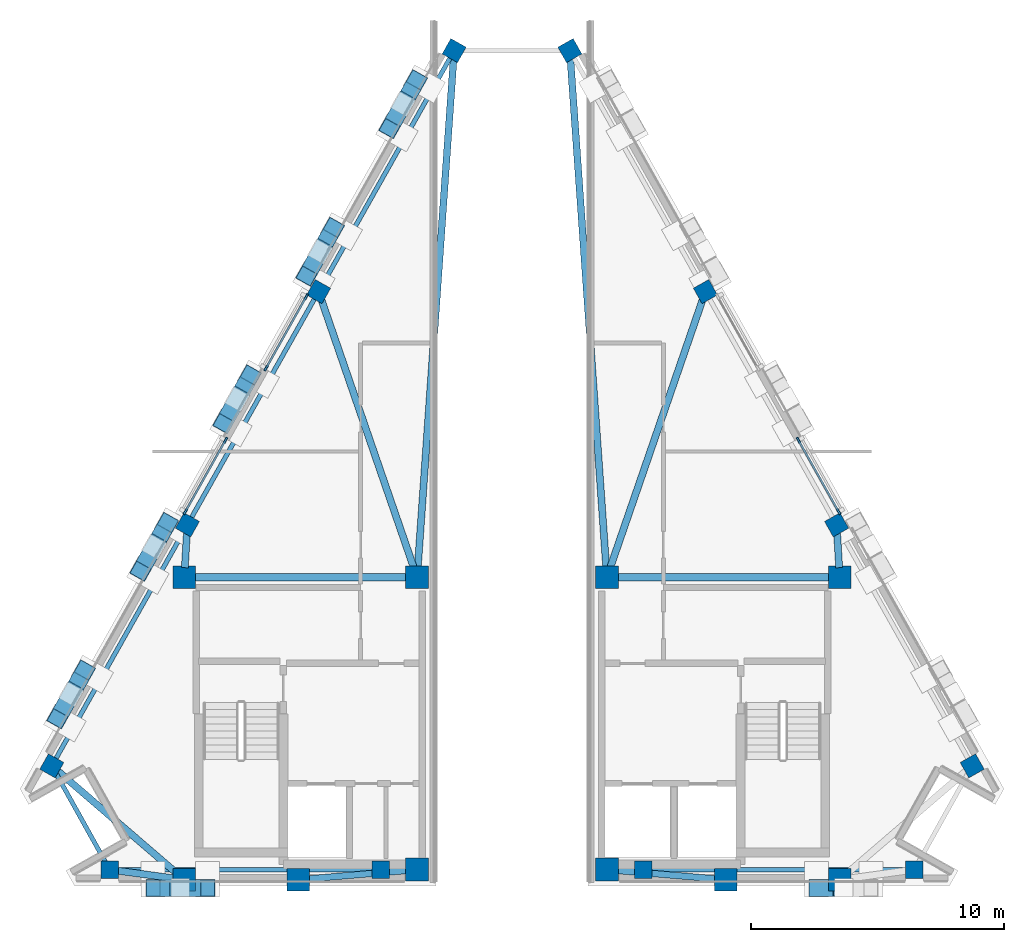
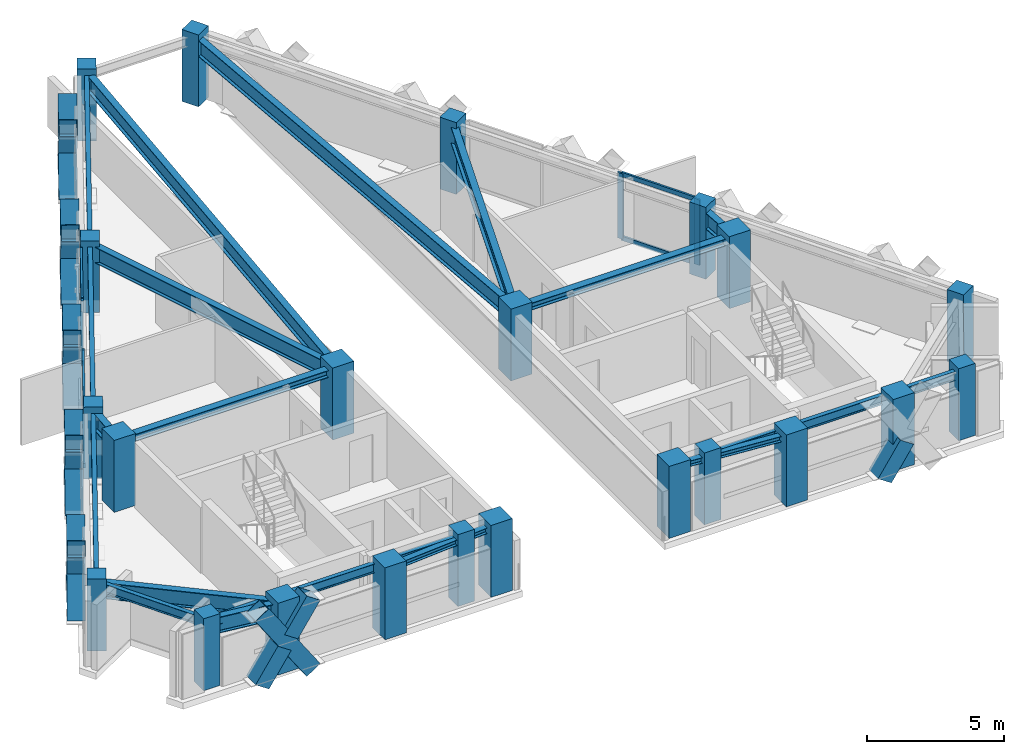
# One storey, part 1 of 7: 31 members, 22 columns, 18 beams, 3 elements without a shape of their own.
"""IFC4 building model written with IfcOpenShell, lengths in metres."""

from ifc_helpers import new_model, si_unit, direction, frame, origin, origin_2d, place, context, subcontext, project, spatial, rectangle, hollow_rectangle, i_section, extrude, material, material_profile, profile_set, type_object, element, aggregate, save


model = new_model("IFC4")

# Units and contexts
model_context = context("Model", 3, precision=1e-05, world=origin(), true_north=direction((0.0, 1.0)))
body_context = subcontext(model_context, "Body", "Model", "MODEL_VIEW")
ifc_project = project(units=[si_unit("LENGTHUNIT", "METRE"), si_unit("AREAUNIT", "SQUARE_METRE"), si_unit("VOLUMEUNIT", "CUBIC_METRE"), si_unit("PLANEANGLEUNIT", "RADIAN"), si_unit("MASSUNIT", "GRAM", prefix="KILO")], contexts=[model_context])

# Site, building, storey
site_placement = place(None, origin())
site = spatial("IfcSite", under=ifc_project, at=site_placement, CompositionType="ELEMENT")
building_placement = place(site_placement, origin())
building = spatial("IfcBuilding", under=site, at=building_placement, Name="Quenlor Broadcast Tower", CompositionType="ELEMENT")
storey_placement = place(building_placement, frame((0.0, 0.0, 274.10009765625)))
storey = spatial("IfcBuildingStorey", under=building, at=storey_placement, Name="L76", CompositionType="ELEMENT", Elevation=274.10009765625)

# Columns
ifc_material_1 = material(Name="Concrete C50/60", Category="concrete")
ifc_material_profile_1 = material_profile(ifc_material_1, rectangle(XDim=0.89990234375, YDim=0.89990234375, at=origin_2d()))
ifc_profile_set_1 = profile_set([ifc_material_profile_1], Name="Concrete C50/60 RC900x900")
column_type_1 = type_object("IfcColumnType", Name="Core Corner Column Upper Concrete C50/60 900", PredefinedType="COLUMN", material=ifc_profile_set_1)
for number, where, z_axis, x_axis, name in (
    (1, (-12.949951171875, -16.75, 0.0), (0.0, 0.0, 1.0), (1.0, 0.0, 0.0), "L76 Core Column CC1"),
    (2, (-8.449951171875, -16.75, 0.0), (0.0, 0.0, 1.0), (1.0, 0.0, 0.0), "L76 Core Column CC2"),
    (3, (-3.75, -16.35009765625, 0.0), (0.0, 0.0, 1.0), (1.0, 0.0, 0.0), "L76 Core Column CC3"),
    (4, (3.75, -16.35009765625, 0.0), (0.0, 0.0, 1.0), (1.0, 0.0, 0.0), "L76 Core Column CC4"),
    (5, (8.449951171875, -16.75, 0.0), (0.0, 0.0, 1.0), (1.0, 0.0, 0.0), "L76 Core Column CC5"),
    (6, (12.949951171875, -16.75, 0.0), (0.0, 0.0, 1.0), (1.0, 0.0, 0.0), "L76 Core Column CC6"),
    (7, (-12.949951171875, -4.800048828125, 0.0), (0.0, 0.0, 1.0), (1.0, 0.0, 0.0), "L76 Core Column CC7"),
    (8, (-3.75, -4.800048828125, 0.0), (0.0, 0.0, 1.0), (1.0, 0.0, 0.0), "L76 Core Column CC8"),
    (9, (3.75, -4.800048828125, 0.0), (0.0, 0.0, 1.0), (1.0, 0.0, 0.0), "L76 Core Column CC9"),
    (10, (12.949951171875, -4.800048828125, 0.0), (0.0, 0.0, 1.0), (1.0, 0.0, 0.0), "L76 Core Column CC10"),
):
    element("IfcColumn", number, at=place(storey_placement, frame(where, z_axis=z_axis, x_axis=x_axis)), inside=storey, type_object=column_type_1, Name=name, PredefinedType="COLUMN", context=body_context, shape_type="SweptSolid", body=[
        extrude(rectangle(XDim=0.89990234375, YDim=0.89990234375, at=origin_2d()), origin(), (0.0, 0.0, 1.0), 3.199951171875),
    ])
ifc_material_2 = material(Name="Concrete C40/50", Category="concrete")
ifc_material_profile_2 = material_profile(ifc_material_2, rectangle(XDim=0.699951171875, YDim=0.699951171875, at=origin_2d()))
ifc_profile_set_2 = profile_set([ifc_material_profile_2], Name="Concrete C40/50 RC700x700")
column_type_2 = type_object("IfcColumnType", Name="Crown Frame Column Concrete C40/50 700", PredefinedType="COLUMN", material=ifc_profile_set_2)
for number, where, z_axis, x_axis, name in (
    (11, (-15.897705078125, -16.35009765625, 0.0), (0.0, 0.0, 1.0), (0.0, 1.0, 0.0), "L76 Perimeter Column S1"),
    (12, (-5.18408203125, -16.35009765625, 0.0), (0.0, 0.0, 1.0), (0.0, 1.0, 0.0), "L76 Perimeter Column S2"),
    (13, (5.18408203125, -16.35009765625, 0.0), (0.0, 0.0, 1.0), (0.0, 1.0, 0.0), "L76 Perimeter Column S3"),
    (14, (15.897705078125, -16.35009765625, 0.0), (0.0, 0.0, 1.0), (0.0, 1.0, 0.0), "L76 Perimeter Column S4"),
    (15, (18.182373046875, -12.25, 0.0), (0.0, 0.0, 1.0), (0.871575139605, 0.490261946333, 0.0), "L76 Perimeter Column NE1"),
    (16, (12.825439453125, -2.726806640625, 0.0), (0.0, 0.0, 1.0), (0.871575139605, 0.490261946333, 0.0), "L76 Perimeter Column NE2"),
    (17, (7.6416015625, 6.4892578125, 0.0), (0.0, 0.0, 1.0), (0.871575139605, 0.490261946333, 0.0), "L76 Perimeter Column NE3"),
    (18, (2.28466796875, 16.012451171875, 0.0), (0.0, 0.0, 1.0), (0.871575139605, 0.490261946333, 0.0), "L76 Perimeter Column NE4"),
    (19, (-2.28466796875, 16.012451171875, 0.0), (0.0, 0.0, 1.0), (-0.871575139605, 0.490261946333, 0.0), "L76 Perimeter Column NW1"),
    (20, (-7.6416015625, 6.4892578125, 0.0), (0.0, 0.0, 1.0), (-0.871575139605, 0.490261946333, 0.0), "L76 Perimeter Column NW2"),
    (21, (-12.825439453125, -2.726806640625, 0.0), (0.0, 0.0, 1.0), (-0.871575139605, 0.490261946333, 0.0), "L76 Perimeter Column NW3"),
    (22, (-18.182373046875, -12.25, 0.0), (0.0, 0.0, 1.0), (-0.871575139605, 0.490261946333, 0.0), "L76 Perimeter Column NW4"),
):
    element("IfcColumn", number, at=place(storey_placement, frame(where, z_axis=z_axis, x_axis=x_axis)), inside=storey, type_object=column_type_2, Name=name, PredefinedType="COLUMN", context=body_context, shape_type="SweptSolid", body=[
        extrude(rectangle(XDim=0.699951171875, YDim=0.699951171875, at=origin_2d()), origin(), (0.0, 0.0, 1.0), 3.199951171875),
    ])

# Curtain wall, members
ifc_material_3 = material(Name="Architectural Terracotta and Low-E Glazing", Category="masonry")
curtain_wall_type = type_object("IfcCurtainWallType", Name="Station Concourse and Crown Terracotta Curtain Wall", PredefinedType="NOTDEFINED", material=ifc_material_3)
curtain_wall_1_placement = place(storey_placement, origin())
curtain_wall_1 = element("IfcCurtainWall", 23, at=curtain_wall_1_placement, inside=storey, type_object=curtain_wall_type, Name="L76 Curtain Wall CW6 (L76-NE-G2)", PredefinedType="NOTDEFINED")
ifc_material_4 = material(Name="Aluminium 6063-T6", Category="aluminium")
ifc_material_profile_3 = material_profile(ifc_material_4, rectangle(XDim=0.08203125, YDim=0.239990234375, at=origin_2d()))
ifc_profile_set_3 = profile_set([ifc_material_profile_3], Name="Aluminium 6063-T6 MULL82x240")
member_type_1 = type_object("IfcMemberType", Name="CW6 Aluminium Mullion MULL_CW6", PredefinedType="MULLION", material=ifc_profile_set_3)
member_1_placement = place(storey_placement, frame((11.31640625, 0.618896484375, 0.0), z_axis=(0.0, 0.0, 1.0), x_axis=(0.871571523235, 0.490268375367, 0.0)))
member_1 = element("IfcMember", 24, at=member_1_placement, type_object=member_type_1, Name="CW6 mullion 1", PredefinedType="MULLION", context=body_context, shape_type="SweptSolid", body=[
    extrude(rectangle(XDim=0.08203125, YDim=0.239990234375, at=origin_2d()), origin(), (0.0, 0.0, 1.0), 2.919921875),
])
member_2_placement = place(storey_placement, frame((12.9072265625, -2.208984375, 0.0), z_axis=(0.0, 0.0, 1.0), x_axis=(0.871571523235, 0.490268375367, 0.0)))
member_2 = element("IfcMember", 25, at=member_2_placement, type_object=member_type_1, Name="CW6 mullion 2", PredefinedType="MULLION", context=body_context, shape_type="SweptSolid", body=[
    extrude(rectangle(XDim=0.08203125, YDim=0.239990234375, at=origin_2d()), origin(), (0.0, 0.0, 1.0), 2.919921875),
])

curtain_wall_2_placement = place(storey_placement, origin())
curtain_wall_2 = element("IfcCurtainWall", 26, at=curtain_wall_2_placement, inside=storey, type_object=curtain_wall_type, Name="L76 Curtain Wall CW6 (L76-NW-G1)", PredefinedType="NOTDEFINED")
member_3_placement = place(storey_placement, frame((-12.9072265625, -2.208984375, 0.0), z_axis=(0.0, 0.0, 1.0), x_axis=(-0.871571523235, 0.490268375367, 0.0)))
member_3 = element("IfcMember", 27, at=member_3_placement, type_object=member_type_1, Name="CW6 mullion 1", PredefinedType="MULLION", context=body_context, shape_type="SweptSolid", body=[
    extrude(rectangle(XDim=0.08203125, YDim=0.239990234375, at=origin_2d()), origin(), (0.0, 0.0, 1.0), 2.919921875),
])
member_4_placement = place(storey_placement, frame((-11.31640625, 0.618896484375, 0.0), z_axis=(0.0, 0.0, 1.0), x_axis=(-0.871571523235, 0.490268375367, 0.0)))
member_4 = element("IfcMember", 28, at=member_4_placement, type_object=member_type_1, Name="CW6 mullion 2", PredefinedType="MULLION", context=body_context, shape_type="SweptSolid", body=[
    extrude(rectangle(XDim=0.08203125, YDim=0.239990234375, at=origin_2d()), origin(), (0.0, 0.0, 1.0), 2.919921875),
])

curtain_wall_3_placement = place(storey_placement, origin())
curtain_wall_3 = element("IfcCurtainWall", 29, at=curtain_wall_3_placement, inside=storey, type_object=curtain_wall_type, Name="L76 Curtain Wall CW6 (L76-NW-G2)", PredefinedType="NOTDEFINED")
member_5_placement = place(storey_placement, frame((-9.717041015625, 3.46240234375, 0.0), z_axis=(0.0, 0.0, 1.0), x_axis=(-0.871571523235, 0.490268375367, 0.0)))
member_5 = element("IfcMember", 30, at=member_5_placement, type_object=member_type_1, Name="CW6 mullion 1", PredefinedType="MULLION", context=body_context, shape_type="SweptSolid", body=[
    extrude(rectangle(XDim=0.08203125, YDim=0.239990234375, at=origin_2d()), origin(), (0.0, 0.0, 1.0), 2.919921875),
])
member_6_placement = place(storey_placement, frame((-8.126220703125, 6.29052734375, 0.0), z_axis=(0.0, 0.0, 1.0), x_axis=(-0.871571523235, 0.490268375367, 0.0)))
member_6 = element("IfcMember", 31, at=member_6_placement, type_object=member_type_1, Name="CW6 mullion 2", PredefinedType="MULLION", context=body_context, shape_type="SweptSolid", body=[
    extrude(rectangle(XDim=0.08203125, YDim=0.239990234375, at=origin_2d()), origin(), (0.0, 0.0, 1.0), 2.919921875),
])

# Member
ifc_material_5 = material(Name="Aluminium 6063-T6", Category="aluminium")
ifc_material_profile_4 = material_profile(ifc_material_5, rectangle(XDim=0.08203125, YDim=0.195068359375, at=origin_2d()))
ifc_profile_set_4 = profile_set([ifc_material_profile_4], Name="Aluminium 6063-T6 TRAN82x195")
member_type_2 = type_object("IfcMemberType", Name="CW6 Aluminium Transom TRAN_CW6", PredefinedType="USERDEFINED", material=ifc_profile_set_4)
member_7_placement = place(storey_placement, frame((11.33642578125, 0.583251953125, 0.041015625), z_axis=(0.490308881198, -0.87154873703, 0.0), x_axis=(0.87154873703, 0.490308881198, 0.0)))
member_7 = element("IfcMember", 32, at=member_7_placement, type_object=member_type_2, Name="CW6 transom 1.1", ObjectType="TRANSOM", PredefinedType="USERDEFINED", context=body_context, shape_type="SweptSolid", body=[
    extrude(rectangle(XDim=0.08203125, YDim=0.195068359375, at=origin_2d()), origin(), (0.0, 0.0, 1.0), 3.162841796875),
])

member_8_placement = place(storey_placement, frame((11.33642578125, 0.583251953125, 2.87890625), z_axis=(0.490308881198, -0.87154873703, 0.0), x_axis=(0.87154873703, 0.490308881198, 0.0)))
member_8 = element("IfcMember", 33, at=member_8_placement, type_object=member_type_2, Name="CW6 transom 1.2", ObjectType="TRANSOM", PredefinedType="USERDEFINED", context=body_context, shape_type="SweptSolid", body=[
    extrude(rectangle(XDim=0.08203125, YDim=0.195068359375, at=origin_2d()), origin(), (0.0, 0.0, 1.0), 3.162841796875),
])

aggregate(curtain_wall_1, [member_1, member_2, member_7, member_8])

member_9_placement = place(storey_placement, frame((-12.88720703125, -2.17333984375, 0.041015625), z_axis=(0.490308881198, 0.87154873703, 0.0), x_axis=(-0.87154873703, 0.490308881198, 0.0)))
member_9 = element("IfcMember", 34, at=member_9_placement, type_object=member_type_2, Name="CW6 transom 1.1", ObjectType="TRANSOM", PredefinedType="USERDEFINED", context=body_context, shape_type="SweptSolid", body=[
    extrude(rectangle(XDim=0.08203125, YDim=0.195068359375, at=origin_2d()), origin(), (0.0, 0.0, 1.0), 3.162841796875),
])

member_10_placement = place(storey_placement, frame((-12.88720703125, -2.17333984375, 2.87890625), z_axis=(0.490308881198, 0.87154873703, 0.0), x_axis=(-0.87154873703, 0.490308881198, 0.0)))
member_10 = element("IfcMember", 35, at=member_10_placement, type_object=member_type_2, Name="CW6 transom 1.2", ObjectType="TRANSOM", PredefinedType="USERDEFINED", context=body_context, shape_type="SweptSolid", body=[
    extrude(rectangle(XDim=0.08203125, YDim=0.195068359375, at=origin_2d()), origin(), (0.0, 0.0, 1.0), 3.162841796875),
])

aggregate(curtain_wall_2, [member_3, member_4, member_9, member_10])

member_11_placement = place(storey_placement, frame((-9.69677734375, 3.498046875, 0.041015625), z_axis=(0.490250244801, 0.871581721626, 0.0), x_axis=(-0.871581721626, 0.490250244801, 0.0)))
member_11 = element("IfcMember", 36, at=member_11_placement, type_object=member_type_2, Name="CW6 transom 1.1", ObjectType="TRANSOM", PredefinedType="USERDEFINED", context=body_context, shape_type="SweptSolid", body=[
    extrude(rectangle(XDim=0.08203125, YDim=0.195068359375, at=origin_2d()), origin(), (0.0, 0.0, 1.0), 3.162841796875),
])

member_12_placement = place(storey_placement, frame((-9.69677734375, 3.498046875, 2.87890625), z_axis=(0.490250244801, 0.871581721626, 0.0), x_axis=(-0.871581721626, 0.490250244801, 0.0)))
member_12 = element("IfcMember", 37, at=member_12_placement, type_object=member_type_2, Name="CW6 transom 1.2", ObjectType="TRANSOM", PredefinedType="USERDEFINED", context=body_context, shape_type="SweptSolid", body=[
    extrude(rectangle(XDim=0.08203125, YDim=0.195068359375, at=origin_2d()), origin(), (0.0, 0.0, 1.0), 3.162841796875),
])

aggregate(curtain_wall_3, [member_5, member_6, member_11, member_12])

# Beams
ifc_material_6 = material(Name="Steel S355", Category="steel")
ifc_material_profile_5 = material_profile(ifc_material_6, i_section(OverallWidth=0.25390625, OverallDepth=0.25390625, WebThickness=0.008544921875, FlangeThickness=0.01416015625, FilletRadius=0.013916015625, at=origin_2d()))
ifc_profile_set_5 = profile_set([ifc_material_profile_5], Name="Steel S355 250UC72.9")
beam_type_1 = type_object("IfcBeamType", Name="Core Opening Lintel Beam Steel S355 250UC72.9", PredefinedType="LINTEL", material=ifc_profile_set_5)
for number, where, z_axis, x_axis, name in (
    (38, (-8.09130859375, -16.719482421875, 2.79296875), (0.996399763903, 0.084779186679, 0.0), (-0.084779186679, 0.996399763903, 0.0), "L76 Core Opening Lintel Beam 4"),
    (39, (4.108642578125, -16.380615234375, 2.79296875), (0.996399763903, -0.084779186679, 0.0), (0.084779186679, 0.996399763903, 0.0), "L76 Core Opening Lintel Beam 5"),
):
    element("IfcBeam", number, at=place(storey_placement, frame(where, z_axis=z_axis, x_axis=x_axis)), inside=storey, type_object=beam_type_1, Name=name, PredefinedType="LINTEL", context=body_context, shape_type="SweptSolid", body=[
        extrude(i_section(OverallWidth=0.25390625, OverallDepth=0.25390625, WebThickness=0.008544921875, FlangeThickness=0.01416015625, FilletRadius=0.013916015625, at=origin_2d()), origin(), (0.0, 0.0, 1.0), 3.9970703125),
    ])
ifc_material_7 = material(Name="Steel S355", Category="steel")
ifc_material_profile_6 = material_profile(ifc_material_7, i_section(OverallWidth=0.306884765625, OverallDepth=0.314697265625, WebThickness=0.011962890625, FlangeThickness=0.018798828125, FilletRadius=0.0166015625, at=origin_2d()))
ifc_profile_set_6 = profile_set([ifc_material_profile_6], Name="Steel S355 310UC118")
beam_type_2 = type_object("IfcBeamType", Name="Core Tie Beam Steel S355 310UC118", PredefinedType="BEAM", material=ifc_profile_set_6)
for number, where, z_axis, x_axis, name in (
    (40, (-12.590087890625, -4.800048828125, 2.7626953125), (1.0, 0.0, 0.0), (0.0, 1.0, 0.0), "L76 Core Tie Beam 1"),
    (41, (4.110107421875, -4.800048828125, 2.7626953125), (1.0, 0.0, 0.0), (0.0, 1.0, 0.0), "L76 Core Tie Beam 3"),
):
    element("IfcBeam", number, at=place(storey_placement, frame(where, z_axis=z_axis, x_axis=x_axis)), inside=storey, type_object=beam_type_2, Name=name, PredefinedType="BEAM", context=body_context, shape_type="SweptSolid", body=[
        extrude(i_section(OverallWidth=0.306884765625, OverallDepth=0.314697265625, WebThickness=0.011962890625, FlangeThickness=0.018798828125, FilletRadius=0.0166015625, at=origin_2d()), origin(), (0.0, 0.0, 1.0), 8.47998046875),
    ])
ifc_material_8 = material(Name="Steel S355", Category="steel")
ifc_material_profile_7 = material_profile(ifc_material_8, i_section(OverallWidth=0.27490234375, OverallDepth=0.716064453125, WebThickness=0.013916015625, FlangeThickness=0.02490234375, FilletRadius=0.013916015625, at=origin_2d()))
ifc_profile_set_7 = profile_set([ifc_material_profile_7], Name="Steel S355 700WB173")
beam_type_3 = type_object("IfcBeamType", Name="Crown Plant Ring Girder Steel S355 700WB173", PredefinedType="BEAM", material=ifc_profile_set_7)
beam_1_placement = place(storey_placement, frame((-15.59033203125, -16.3916015625, 2.56201171875), z_axis=(0.990908681621, -0.134536183561, 0.0), x_axis=(0.134536183561, 0.990908681621, 0.0)))
element("IfcBeam", 42, at=beam_1_placement, inside=storey, type_object=beam_type_3, Name="L76 Primary Radial Beam S1", PredefinedType="BEAM", context=body_context, shape_type="SweptSolid", body=[
    extrude(i_section(OverallWidth=0.27490234375, OverallDepth=0.716064453125, WebThickness=0.013916015625, FlangeThickness=0.02490234375, FilletRadius=0.013916015625, at=origin_2d()), origin(), (0.0, 0.0, 1.0), 2.28466796875),
])
beam_2_placement = place(storey_placement, frame((12.843994140625, -3.0361328125, 2.56201171875), z_axis=(0.060022076178, -0.998197049871, 0.0), x_axis=(0.998197049871, 0.060022076178, 0.0)))
element("IfcBeam", 43, at=beam_2_placement, inside=storey, type_object=beam_type_3, Name="L76 Primary Radial Beam NE2", PredefinedType="BEAM", context=body_context, shape_type="SweptSolid", body=[
    extrude(i_section(OverallWidth=0.27490234375, OverallDepth=0.716064453125, WebThickness=0.013916015625, FlangeThickness=0.02490234375, FilletRadius=0.013916015625, at=origin_2d()), origin(), (0.0, 0.0, 1.0), 1.386962890625),
])
beam_3_placement = place(storey_placement, frame((7.54052734375, 6.1962890625, 2.56201171875), z_axis=(-0.325897728726, -0.945405029821, 0.0), x_axis=(0.945405029821, -0.325897728726, 0.0)))
element("IfcBeam", 44, at=beam_3_placement, inside=storey, type_object=beam_type_3, Name="L76 Primary Radial Beam NE3", PredefinedType="BEAM", context=body_context, shape_type="SweptSolid", body=[
    extrude(i_section(OverallWidth=0.27490234375, OverallDepth=0.716064453125, WebThickness=0.013916015625, FlangeThickness=0.02490234375, FilletRadius=0.013916015625, at=origin_2d()), origin(), (0.0, 0.0, 1.0), 11.251220703125),
])
for number, where, z_axis, x_axis, name in (
    (45, (2.306396484375, 15.703369140625, 2.56201171875), (0.070238211714, -0.997530246968, 0.0), (0.997530246968, 0.070238211714, 0.0), "L76 Primary Radial Beam NE4"),
    (46, (-2.306396484375, 15.703369140625, 2.56201171875), (-0.070238211714, -0.997530246968, 0.0), (0.997530246968, -0.070238211714, 0.0), "L76 Primary Radial Beam NW1"),
):
    element("IfcBeam", number, at=place(storey_placement, frame(where, z_axis=z_axis, x_axis=x_axis)), inside=storey, type_object=beam_type_3, Name=name, PredefinedType="BEAM", context=body_context, shape_type="SweptSolid", body=[
        extrude(i_section(OverallWidth=0.27490234375, OverallDepth=0.716064453125, WebThickness=0.013916015625, FlangeThickness=0.02490234375, FilletRadius=0.013916015625, at=origin_2d()), origin(), (0.0, 0.0, 1.0), 20.174072265625),
    ])
beam_4_placement = place(storey_placement, frame((-7.54052734375, 6.1962890625, 2.56201171875), z_axis=(0.325897728726, -0.945405029821, 0.0), x_axis=(0.945405029821, 0.325897728726, 0.0)))
element("IfcBeam", 47, at=beam_4_placement, inside=storey, type_object=beam_type_3, Name="L76 Primary Radial Beam NW2", PredefinedType="BEAM", context=body_context, shape_type="SweptSolid", body=[
    extrude(i_section(OverallWidth=0.27490234375, OverallDepth=0.716064453125, WebThickness=0.013916015625, FlangeThickness=0.02490234375, FilletRadius=0.013916015625, at=origin_2d()), origin(), (0.0, 0.0, 1.0), 11.251220703125),
])
beam_5_placement = place(storey_placement, frame((-12.843994140625, -3.0361328125, 2.56201171875), z_axis=(-0.060022076178, -0.998197049871, 0.0), x_axis=(0.998197049871, -0.060022076178, 0.0)))
element("IfcBeam", 48, at=beam_5_placement, inside=storey, type_object=beam_type_3, Name="L76 Primary Radial Beam NW3", PredefinedType="BEAM", context=body_context, shape_type="SweptSolid", body=[
    extrude(i_section(OverallWidth=0.27490234375, OverallDepth=0.716064453125, WebThickness=0.013916015625, FlangeThickness=0.02490234375, FilletRadius=0.013916015625, at=origin_2d()), origin(), (0.0, 0.0, 1.0), 1.386962890625),
])
beam_6_placement = place(storey_placement, frame((-17.947265625, -12.451904296875, 2.56201171875), z_axis=(0.758156826123, -0.652072255968, 0.0), x_axis=(0.652072255968, 0.758156826123, 0.0)))
element("IfcBeam", 49, at=beam_6_placement, inside=storey, type_object=beam_type_3, Name="L76 Primary Radial Beam NW4", PredefinedType="BEAM", context=body_context, shape_type="SweptSolid", body=[
    extrude(i_section(OverallWidth=0.27490234375, OverallDepth=0.716064453125, WebThickness=0.013916015625, FlangeThickness=0.02490234375, FilletRadius=0.013916015625, at=origin_2d()), origin(), (0.0, 0.0, 1.0), 6.21142578125),
])

# Members
ifc_material_9 = material(Name="Steel S355", Category="steel")
ifc_material_profile_8 = material_profile(ifc_material_9, hollow_rectangle(XDim=0.679931640625, YDim=0.679931640625, WallThickness=0.02001953125, at=origin_2d()))
ifc_profile_set_8 = profile_set([ifc_material_profile_8], Name="Steel S355 RHS680x680x20")
member_type_3 = type_object("IfcMemberType", Name="Perimeter Diagonal Lattice Brace Z5-Crown Steel S355 RHS680x20", PredefinedType="BRACE", material=ifc_profile_set_8)
member_13_placement = place(storey_placement, frame((12.025146484375, -17.070068359375, -0.1201171875), z_axis=(0.558985996415, 0.0, 0.829177095566), x_axis=(0.0, 1.0, 0.0)))
element("IfcMember", 50, at=member_13_placement, inside=storey, type_object=member_type_3, Name="L76 Perimeter Diamond Lattice S-C1XB1", PredefinedType="BRACE", context=body_context, shape_type="SweptSolid", body=[
    extrude(hollow_rectangle(XDim=0.679931640625, YDim=0.679931640625, WallThickness=0.02001953125, at=origin_2d()), origin(), (0.0, 0.0, 1.0), 1.6796875),
])
member_14_placement = place(storey_placement, frame((-12.025146484375, -17.070068359375, -0.1201171875), z_axis=(-0.559071894658, 0.0, 0.829119181182), x_axis=(0.0, -1.0, 0.0)))
element("IfcMember", 51, at=member_14_placement, inside=storey, type_object=member_type_3, Name="L76 Perimeter Diamond Lattice S-C5XA", PredefinedType="BRACE", context=body_context, shape_type="SweptSolid", body=[
    extrude(hollow_rectangle(XDim=0.679931640625, YDim=0.679931640625, WallThickness=0.02001953125, at=origin_2d()), origin(), (0.0, 0.0, 1.0), 3.859375),
])
member_15_placement = place(storey_placement, frame((-14.182861328125, -17.070068359375, -0.1201171875), z_axis=(0.558985996415, 0.0, 0.829177095566), x_axis=(0.0, 1.0, 0.0)))
element("IfcMember", 52, at=member_15_placement, inside=storey, type_object=member_type_3, Name="L76 Perimeter Diamond Lattice S-C5XB1", PredefinedType="BRACE", context=body_context, shape_type="SweptSolid", body=[
    extrude(hollow_rectangle(XDim=0.679931640625, YDim=0.679931640625, WallThickness=0.02001953125, at=origin_2d()), origin(), (0.0, 0.0, 1.0), 1.6796875),
])
member_16_placement = place(storey_placement, frame((-12.964111328125, -17.070068359375, 1.687255859375), z_axis=(0.559053368551, 0.0, 0.829131672963), x_axis=(0.0, 1.0, 0.0)))
element("IfcMember", 53, at=member_16_placement, inside=storey, type_object=member_type_3, Name="L76 Perimeter Diamond Lattice S-C5XB2", PredefinedType="BRACE", context=body_context, shape_type="SweptSolid", body=[
    extrude(hollow_rectangle(XDim=0.679931640625, YDim=0.679931640625, WallThickness=0.02001953125, at=origin_2d()), origin(), (0.0, 0.0, 1.0), 1.679443359375),
])
member_17_placement = place(storey_placement, frame((-17.9599609375, -10.38623046875, -0.1201171875), z_axis=(0.278011753881, 0.494250100424, 0.823666378417), x_axis=(-0.871578496623, 0.490255978266, 0.0)))
element("IfcMember", 54, at=member_17_placement, inside=storey, type_object=member_type_3, Name="L76 Perimeter Diamond Lattice NW-C1XA", PredefinedType="BRACE", context=body_context, shape_type="SweptSolid", body=[
    extrude(hollow_rectangle(XDim=0.679931640625, YDim=0.679931640625, WallThickness=0.02001953125, at=origin_2d()), origin(), (0.0, 0.0, 1.0), 3.885009765625),
])
for number, where, z_axis, x_axis, name in (
    (55, (-16.8798828125, -8.466064453125, -0.1201171875), (-0.278112653694, -0.494198107654, 0.823663512757), (0.871480414068, -0.490430308909, 0.0), "L76 Perimeter Diamond Lattice NW-C1XB1"),
    (56, (-17.489501953125, -9.5498046875, 1.685791015625), (-0.277979553584, -0.494217929725, 0.823696549542), (0.87158912515, -0.49023708236, 0.0), "L76 Perimeter Diamond Lattice NW-C1XB2"),
):
    element("IfcMember", number, at=place(storey_placement, frame(where, z_axis=z_axis, x_axis=x_axis)), inside=storey, type_object=member_type_3, Name=name, PredefinedType="BRACE", context=body_context, shape_type="SweptSolid", body=[
        extrude(hollow_rectangle(XDim=0.679931640625, YDim=0.679931640625, WallThickness=0.02001953125, at=origin_2d()), origin(), (0.0, 0.0, 1.0), 1.6923828125),
    ])
member_18_placement = place(storey_placement, frame((-14.680419921875, -4.555908203125, -0.1201171875), z_axis=(0.277953767715, 0.494258734587, 0.823680767226), x_axis=(-0.871625847005, 0.490171789104, 0.0)))
element("IfcMember", 57, at=member_18_placement, inside=storey, type_object=member_type_3, Name="L76 Perimeter Diamond Lattice NW-C2XA", PredefinedType="BRACE", context=body_context, shape_type="SweptSolid", body=[
    extrude(hollow_rectangle(XDim=0.679931640625, YDim=0.679931640625, WallThickness=0.02001953125, at=origin_2d()), origin(), (0.0, 0.0, 1.0), 3.885009765625),
])
member_19_placement = place(storey_placement, frame((-13.6005859375, -2.6357421875, -0.1201171875), z_axis=(-0.27795973469, -0.494326938653, 0.823637823083), x_axis=(0.871650246414, -0.490128399428, 0.0)))
element("IfcMember", 58, at=member_19_placement, inside=storey, type_object=member_type_3, Name="L76 Perimeter Diamond Lattice NW-C2XB1", PredefinedType="BRACE", context=body_context, shape_type="SweptSolid", body=[
    extrude(hollow_rectangle(XDim=0.679931640625, YDim=0.679931640625, WallThickness=0.02001953125, at=origin_2d()), origin(), (0.0, 0.0, 1.0), 1.692626953125),
])
member_20_placement = place(storey_placement, frame((-14.2099609375, -3.719482421875, 1.685791015625), z_axis=(-0.277979553584, -0.494217929725, 0.823696549542), x_axis=(0.87158912515, -0.49023708236, 0.0)))
element("IfcMember", 59, at=member_20_placement, inside=storey, type_object=member_type_3, Name="L76 Perimeter Diamond Lattice NW-C2XB2", PredefinedType="BRACE", context=body_context, shape_type="SweptSolid", body=[
    extrude(hollow_rectangle(XDim=0.679931640625, YDim=0.679931640625, WallThickness=0.02001953125, at=origin_2d()), origin(), (0.0, 0.0, 1.0), 1.6923828125),
])
member_21_placement = place(storey_placement, frame((-11.40087890625, 1.2744140625, -0.1201171875), z_axis=(0.278020388647, 0.494202607668, 0.823691960669), x_axis=(-0.87155185771, 0.490303333991, 0.0)))
element("IfcMember", 60, at=member_21_placement, inside=storey, type_object=member_type_3, Name="L76 Perimeter Diamond Lattice NW-C3XA", PredefinedType="BRACE", context=body_context, shape_type="SweptSolid", body=[
    extrude(hollow_rectangle(XDim=0.679931640625, YDim=0.679931640625, WallThickness=0.02001953125, at=origin_2d()), origin(), (0.0, 0.0, 1.0), 3.885009765625),
])
for number, where, z_axis, x_axis, name in (
    (61, (-10.32080078125, 3.1943359375, -0.1201171875), (-0.278112653694, -0.494198107654, 0.823663512757), (0.871480414068, -0.490430308909, 0.0), "L76 Perimeter Diamond Lattice NW-C3XB1"),
    (62, (-10.930419921875, 2.11083984375, 1.685791015625), (-0.277979553584, -0.494217929725, 0.823696549542), (0.87158912515, -0.49023708236, 0.0), "L76 Perimeter Diamond Lattice NW-C3XB2"),
):
    element("IfcMember", number, at=place(storey_placement, frame(where, z_axis=z_axis, x_axis=x_axis)), inside=storey, type_object=member_type_3, Name=name, PredefinedType="BRACE", context=body_context, shape_type="SweptSolid", body=[
        extrude(hollow_rectangle(XDim=0.679931640625, YDim=0.679931640625, WallThickness=0.02001953125, at=origin_2d()), origin(), (0.0, 0.0, 1.0), 1.6923828125),
    ])
member_22_placement = place(storey_placement, frame((-8.12158203125, 7.1044921875, -0.1201171875), z_axis=(0.278011753881, 0.494250100424, 0.823666378417), x_axis=(-0.871578496623, 0.490255978266, 0.0)))
element("IfcMember", 63, at=member_22_placement, inside=storey, type_object=member_type_3, Name="L76 Perimeter Diamond Lattice NW-C4XA", PredefinedType="BRACE", context=body_context, shape_type="SweptSolid", body=[
    extrude(hollow_rectangle(XDim=0.679931640625, YDim=0.679931640625, WallThickness=0.02001953125, at=origin_2d()), origin(), (0.0, 0.0, 1.0), 3.885009765625),
])
member_23_placement = place(storey_placement, frame((-7.04150390625, 9.024658203125, -0.1201171875), z_axis=(-0.27795973469, -0.494326938653, 0.823637823083), x_axis=(0.871650246414, -0.490128399428, 0.0)))
element("IfcMember", 64, at=member_23_placement, inside=storey, type_object=member_type_3, Name="L76 Perimeter Diamond Lattice NW-C4XB1", PredefinedType="BRACE", context=body_context, shape_type="SweptSolid", body=[
    extrude(hollow_rectangle(XDim=0.679931640625, YDim=0.679931640625, WallThickness=0.02001953125, at=origin_2d()), origin(), (0.0, 0.0, 1.0), 1.692626953125),
])
member_24_placement = place(storey_placement, frame((-7.65087890625, 7.94091796875, 1.685791015625), z_axis=(-0.278112653694, -0.494198107654, 0.823663512757), x_axis=(0.871480414068, -0.490430308909, 0.0)))
element("IfcMember", 65, at=member_24_placement, inside=storey, type_object=member_type_3, Name="L76 Perimeter Diamond Lattice NW-C4XB2", PredefinedType="BRACE", context=body_context, shape_type="SweptSolid", body=[
    extrude(hollow_rectangle(XDim=0.679931640625, YDim=0.679931640625, WallThickness=0.02001953125, at=origin_2d()), origin(), (0.0, 0.0, 1.0), 1.6923828125),
])
member_25_placement = place(storey_placement, frame((-4.842041015625, 12.934814453125, -0.1201171875), z_axis=(0.278011753881, 0.494250100424, 0.823666378417), x_axis=(-0.871578496623, 0.490255978266, 0.0)))
element("IfcMember", 66, at=member_25_placement, inside=storey, type_object=member_type_3, Name="L76 Perimeter Diamond Lattice NW-C5XA", PredefinedType="BRACE", context=body_context, shape_type="SweptSolid", body=[
    extrude(hollow_rectangle(XDim=0.679931640625, YDim=0.679931640625, WallThickness=0.02001953125, at=origin_2d()), origin(), (0.0, 0.0, 1.0), 3.885009765625),
])
member_26_placement = place(storey_placement, frame((-3.761962890625, 14.85498046875, -0.1201171875), z_axis=(-0.27795973469, -0.494326938653, 0.823637823083), x_axis=(0.871650246414, -0.490128399428, 0.0)))
element("IfcMember", 67, at=member_26_placement, inside=storey, type_object=member_type_3, Name="L76 Perimeter Diamond Lattice NW-C5XB1", PredefinedType="BRACE", context=body_context, shape_type="SweptSolid", body=[
    extrude(hollow_rectangle(XDim=0.679931640625, YDim=0.679931640625, WallThickness=0.02001953125, at=origin_2d()), origin(), (0.0, 0.0, 1.0), 1.692626953125),
])
member_27_placement = place(storey_placement, frame((-4.37158203125, 13.771240234375, 1.685791015625), z_axis=(-0.277979553584, -0.494217929725, 0.823696549542), x_axis=(0.87158912515, -0.49023708236, 0.0)))
element("IfcMember", 68, at=member_27_placement, inside=storey, type_object=member_type_3, Name="L76 Perimeter Diamond Lattice NW-C5XB2", PredefinedType="BRACE", context=body_context, shape_type="SweptSolid", body=[
    extrude(hollow_rectangle(XDim=0.679931640625, YDim=0.679931640625, WallThickness=0.02001953125, at=origin_2d()), origin(), (0.0, 0.0, 1.0), 1.6923828125),
])

# Beams
ifc_material_10 = material(Name="Steel S355", Category="steel")
ifc_material_profile_9 = material_profile(ifc_material_10, i_section(OverallWidth=0.177978515625, OverallDepth=0.406494140625, WebThickness=0.0078125, FlangeThickness=0.0126953125, FilletRadius=0.011474609375, at=origin_2d()))
ifc_profile_set_9 = profile_set([ifc_material_profile_9], Name="Steel S355 410UB59.7")
beam_type_4 = type_object("IfcBeamType", Name="Perimeter Spandrel Beam Z5 Steel S355 410UB59.7", PredefinedType="SPANDREL", material=ifc_profile_set_9)
for number, where, z_axis, x_axis, name in (
    (69, (-15.587646484375, -16.35009765625, 2.716796875), (1.0, 0.0, 0.0), (0.0, 1.0, 0.0), "L76 Spandrel Beam S1-S2"),
    (70, (5.493896484375, -16.35009765625, 2.716796875), (1.0, 0.0, 0.0), (0.0, 1.0, 0.0), "L76 Spandrel Beam S3-S4"),
):
    element("IfcBeam", number, at=place(storey_placement, frame(where, z_axis=z_axis, x_axis=x_axis)), inside=storey, type_object=beam_type_4, Name=name, PredefinedType="SPANDREL", context=body_context, shape_type="SweptSolid", body=[
        extrude(i_section(OverallWidth=0.177978515625, OverallDepth=0.406494140625, WebThickness=0.0078125, FlangeThickness=0.0126953125, FilletRadius=0.011474609375, at=origin_2d()), origin(), (0.0, 0.0, 1.0), 10.09375),
    ])
beam_7_placement = place(storey_placement, frame((-2.436767578125, 15.7421875, 2.716796875), z_axis=(-0.490260114949, -0.871576169758, 0.0), x_axis=(0.871576169758, -0.490260114949, 0.0)))
element("IfcBeam", 71, at=beam_7_placement, inside=storey, type_object=beam_type_4, Name="L76 Spandrel Beam NW1-NW2", PredefinedType="SPANDREL", context=body_context, shape_type="SweptSolid", body=[
    extrude(i_section(OverallWidth=0.177978515625, OverallDepth=0.406494140625, WebThickness=0.0078125, FlangeThickness=0.0126953125, FilletRadius=0.011474609375, at=origin_2d()), origin(), (0.0, 0.0, 1.0), 10.30615234375),
])
beam_8_placement = place(storey_placement, frame((-7.79345703125, 6.218994140625, 2.716796875), z_axis=(-0.490271720009, -0.87156964183, 0.0), x_axis=(0.87156964183, -0.490271720009, 0.0)))
element("IfcBeam", 72, at=beam_8_placement, inside=storey, type_object=beam_type_4, Name="L76 Spandrel Beam NW2-NW3", PredefinedType="SPANDREL", context=body_context, shape_type="SweptSolid", body=[
    extrude(i_section(OverallWidth=0.177978515625, OverallDepth=0.406494140625, WebThickness=0.0078125, FlangeThickness=0.0126953125, FilletRadius=0.011474609375, at=origin_2d()), origin(), (0.0, 0.0, 1.0), 9.953857421875),
])
beam_9_placement = place(storey_placement, frame((-12.9775390625, -2.996826171875, 2.716796875), z_axis=(-0.490249992991, -0.871581863265, 0.0), x_axis=(0.871581863265, -0.490249992991, 0.0)))
element("IfcBeam", 73, at=beam_9_placement, inside=storey, type_object=beam_type_4, Name="L76 Spandrel Beam NW3-NW4", PredefinedType="SPANDREL", context=body_context, shape_type="SweptSolid", body=[
    extrude(i_section(OverallWidth=0.177978515625, OverallDepth=0.406494140625, WebThickness=0.0078125, FlangeThickness=0.0126953125, FilletRadius=0.011474609375, at=origin_2d()), origin(), (0.0, 0.0, 1.0), 10.306396484375),
])
beam_10_placement = place(storey_placement, frame((-18.031494140625, -12.520751953125, 2.716796875), z_axis=(0.486777294572, -0.873526110365, 0.0), x_axis=(0.873526110365, 0.486777294572, 0.0)))
element("IfcBeam", 74, at=beam_10_placement, inside=storey, type_object=beam_type_4, Name="L76 Spandrel Beam NW4-S1", PredefinedType="SPANDREL", context=body_context, shape_type="SweptSolid", body=[
    extrude(i_section(OverallWidth=0.177978515625, OverallDepth=0.406494140625, WebThickness=0.0078125, FlangeThickness=0.0126953125, FilletRadius=0.011474609375, at=origin_2d()), origin(), (0.0, 0.0, 1.0), 4.073486328125),
])

save(model, "model.ifc")
